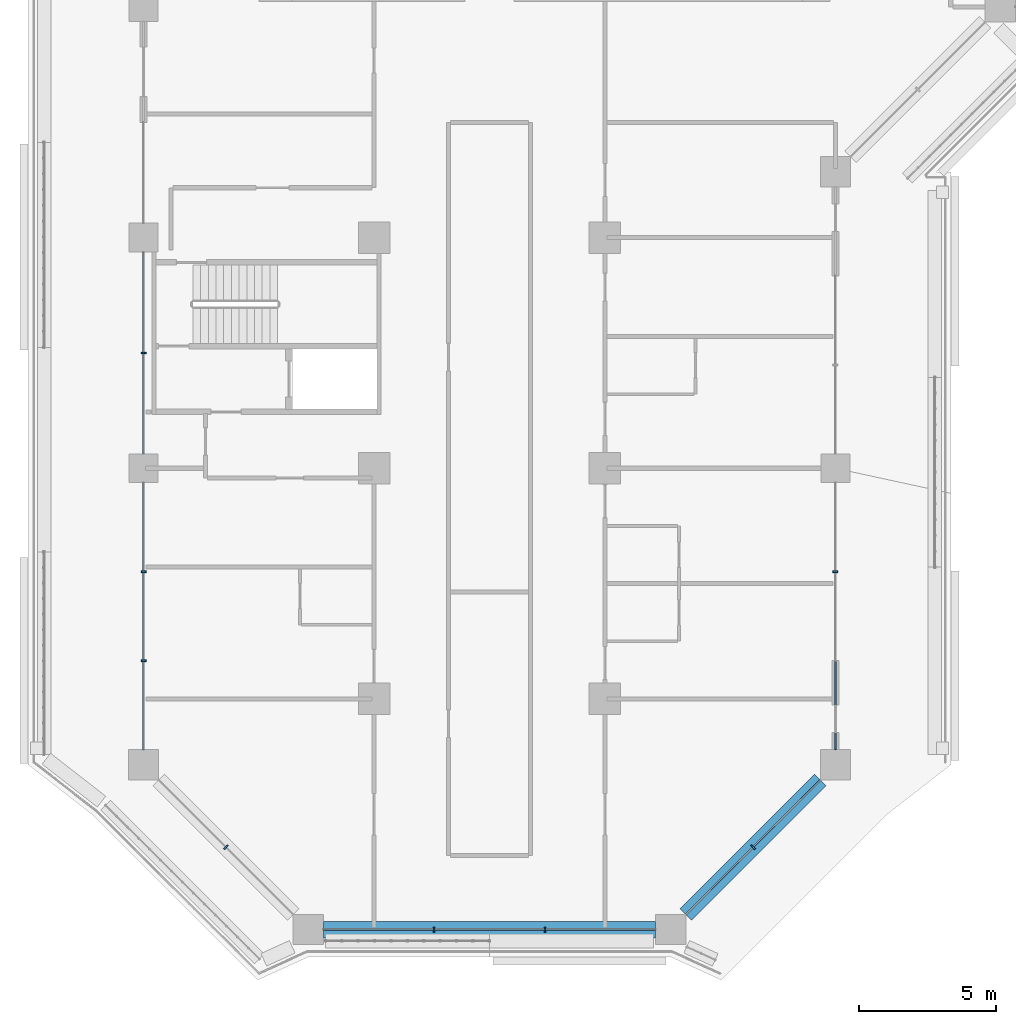
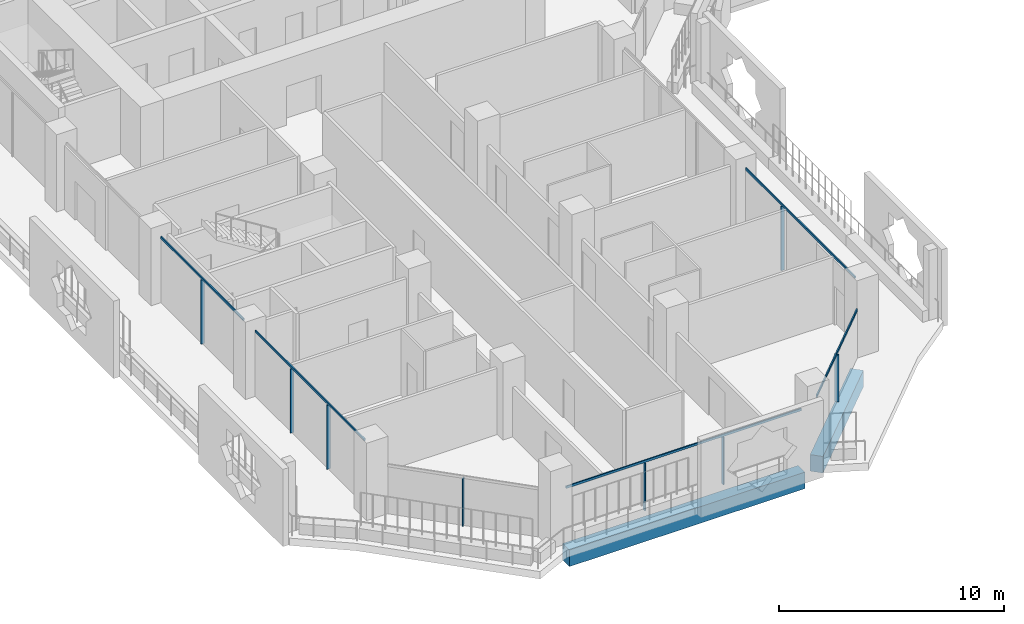
# One storey, part 2 of 27: 13 members, 2 beams, 5 elements without a shape of their own.
"""IFC4 building model written with IfcOpenShell, lengths in metres."""

from ifc_helpers import new_model, si_unit, direction, frame, origin, origin_2d, place, context, subcontext, project, spatial, rectangle, extrude, material, layer, layer_set, material_profile, profile_set, type_object, element, aggregate, save


model = new_model("IFC4")

# Units and contexts
model_context = context("Model", 3, precision=1e-05, world=origin(), true_north=direction((0.0, 1.0)))
body_context = subcontext(model_context, "Body", "Model", "MODEL_VIEW")
ifc_project = project(units=[si_unit("LENGTHUNIT", "METRE"), si_unit("AREAUNIT", "SQUARE_METRE"), si_unit("VOLUMEUNIT", "CUBIC_METRE"), si_unit("PLANEANGLEUNIT", "RADIAN"), si_unit("MASSUNIT", "GRAM", prefix="KILO")], contexts=[model_context])

# Site, building, storey
site_placement = place(None, origin())
site = spatial("IfcSite", under=ifc_project, at=site_placement, CompositionType="ELEMENT")
building_placement = place(site_placement, origin())
building = spatial("IfcBuilding", under=site, at=building_placement, Name="Kawkab Arch Medical Tower", CompositionType="ELEMENT")
storey_placement = place(building_placement, frame((0.0, 0.0, 115.60009765625)))
storey = spatial("IfcBuildingStorey", under=building, at=storey_placement, Name="L26", CompositionType="ELEMENT", Elevation=115.60009765625)

# Curtain wall, members
ifc_material_1 = material(Name="Bronze anodised aluminium curtain wall frame", Category="aluminium")
ifc_layer_1 = layer(ifc_material_1, 0.159912109375)
ifc_layer_set_1 = layer_set([ifc_layer_1], Name="Bronze anodised aluminium curtain wall frame")
curtain_wall_type_1 = type_object("IfcCurtainWallType", Name="CW1 ward curtain wall", PredefinedType="NOTDEFINED", material=ifc_layer_set_1)
placement = place(storey_placement, origin())
curtain_wall_1 = element("IfcCurtainWall", 1, at=placement, inside=storey, type_object=curtain_wall_type_1, Name="CW1 Ward curtain wall R01", PredefinedType="NOTDEFINED")
ifc_material_2 = material(Name="Bronze anodised aluminium curtain wall frame", Category="aluminium")
ifc_material_profile_1 = material_profile(ifc_material_2, rectangle(XDim=0.179931640625, YDim=0.06005859375, at=origin_2d()), Name="AL 60x180")
ifc_profile_set_1 = profile_set([ifc_material_profile_1], Name="Bronze anodised aluminium curtain wall frame")
member_type_1 = type_object("IfcMemberType", Name="CW1 mullion 60 x 180", PredefinedType="MULLION", material=ifc_profile_set_1)
member_1_placement = place(storey_placement, frame((0.0, -37.800048828125, 0.0), z_axis=(0.0, 0.0, 1.0), x_axis=(1.0, 0.0, 0.0)))
member_1 = element("IfcMember", 2, at=member_1_placement, type_object=member_type_1, Name="CW1 mullion 5.1", PredefinedType="MULLION", context=body_context, shape_type="SweptSolid", body=[
    extrude(rectangle(XDim=0.179931640625, YDim=0.06005859375, at=origin_2d()), origin(), (0.0, 0.0, 1.0), 3.47998046875),
])
member_2_placement = place(storey_placement, frame((0.0, -45.7666015625, 0.0), z_axis=(0.0, 0.0, 1.0), x_axis=(1.0, 0.0, 0.0)))
member_2 = element("IfcMember", 3, at=member_2_placement, type_object=member_type_1, Name="CW1 mullion 6.1", PredefinedType="MULLION", context=body_context, shape_type="SweptSolid", body=[
    extrude(rectangle(XDim=0.179931640625, YDim=0.06005859375, at=origin_2d()), origin(), (0.0, 0.0, 1.0), 3.47998046875),
])
member_3_placement = place(storey_placement, frame((0.0, -49.00830078125, 0.0), z_axis=(0.0, 0.0, 1.0), x_axis=(1.0, 0.0, 0.0)))
member_3 = element("IfcMember", 4, at=member_3_placement, type_object=member_type_1, Name="CW1 mullion 6.2", PredefinedType="MULLION", context=body_context, shape_type="SweptSolid", body=[
    extrude(rectangle(XDim=0.179931640625, YDim=0.06005859375, at=origin_2d()), origin(), (0.0, 0.0, 1.0), 3.47998046875),
])

curtain_wall_2 = element("IfcCurtainWall", 5, at=placement, inside=storey, type_object=curtain_wall_type_1, Name="CW1 Ward curtain wall R03", PredefinedType="NOTDEFINED")
member_4_placement = place(storey_placement, frame((10.583251953125, -58.800048828125, 0.0), z_axis=(0.0, 0.0, 1.0), x_axis=(0.0, 1.0, 0.0)))
member_4 = element("IfcMember", 6, at=member_4_placement, type_object=member_type_1, Name="CW1 mullion 1.1", PredefinedType="MULLION", context=body_context, shape_type="SweptSolid", body=[
    extrude(rectangle(XDim=0.179931640625, YDim=0.06005859375, at=origin_2d()), origin(), (0.0, 0.0, 1.0), 2.579833984375),
])
member_5_placement = place(storey_placement, frame((14.61669921875, -58.800048828125, 0.0), z_axis=(0.0, 0.0, 1.0), x_axis=(0.0, 1.0, 0.0)))
member_5 = element("IfcMember", 7, at=member_5_placement, type_object=member_type_1, Name="CW1 mullion 1.2", PredefinedType="MULLION", context=body_context, shape_type="SweptSolid", body=[
    extrude(rectangle(XDim=0.179931640625, YDim=0.06005859375, at=origin_2d()), origin(), (0.0, 0.0, 1.0), 2.579833984375),
])

# Curtain wall, member
curtain_wall_3 = element("IfcCurtainWall", 8, at=placement, inside=storey, type_object=curtain_wall_type_1, Name="CW1 Ward curtain wall R05", PredefinedType="NOTDEFINED")
member_6_placement = place(storey_placement, frame((25.199951171875, -45.7666015625, 0.0), z_axis=(0.0, 0.0, 1.0), x_axis=(-1.0, 0.0, 0.0)))
member_6 = element("IfcMember", 9, at=member_6_placement, type_object=member_type_1, Name="CW1 mullion 1.2", PredefinedType="MULLION", context=body_context, shape_type="SweptSolid", body=[
    extrude(rectangle(XDim=0.179931640625, YDim=0.06005859375, at=origin_2d()), origin(), (0.0, 0.0, 1.0), 3.47998046875),
])

# Member
ifc_material_3 = material(Name="Bronze anodised aluminium curtain wall frame", Category="aluminium")
ifc_material_profile_2 = material_profile(ifc_material_3, rectangle(XDim=0.06005859375, YDim=0.1201171875, at=origin_2d()), Name="AL 60x120")
ifc_profile_set_2 = profile_set([ifc_material_profile_2], Name="Bronze anodised aluminium curtain wall frame")
member_type_2 = type_object("IfcMemberType", Name="CW1 transom 120 x 60", PredefinedType="USERDEFINED", material=ifc_profile_set_2)
member_7_placement = place(storey_placement, frame((0.0, -34.125, 3.539794921875), z_axis=(0.0, -1.0, 0.0), x_axis=(1.0, 0.0, 0.0)))
member_7 = element("IfcMember", 10, at=member_7_placement, type_object=member_type_2, Name="CW1 transom 5", ObjectType="TRANSOM", PredefinedType="USERDEFINED", context=body_context, shape_type="SweptSolid", body=[
    extrude(rectangle(XDim=0.06005859375, YDim=0.1201171875, at=origin_2d()), origin(), (0.0, 0.0, 1.0), 7.35009765625),
])

member_8_placement = place(storey_placement, frame((0.0, -42.52490234375, 3.539794921875), z_axis=(0.0, -1.0, 0.0), x_axis=(1.0, 0.0, 0.0)))
member_8 = element("IfcMember", 11, at=member_8_placement, type_object=member_type_2, Name="CW1 transom 6", ObjectType="TRANSOM", PredefinedType="USERDEFINED", context=body_context, shape_type="SweptSolid", body=[
    extrude(rectangle(XDim=0.06005859375, YDim=0.1201171875, at=origin_2d()), origin(), (0.0, 0.0, 1.0), 9.72509765625),
])

aggregate(curtain_wall_1, [member_7, member_1, member_8, member_2, member_3])

member_9_placement = place(storey_placement, frame((6.550048828125, -58.800048828125, 2.639892578125), z_axis=(1.0, 0.0, 0.0), x_axis=(0.0, 1.0, 0.0)))
member_9 = element("IfcMember", 12, at=member_9_placement, type_object=member_type_2, Name="CW1 transom 1", ObjectType="TRANSOM", PredefinedType="USERDEFINED", context=body_context, shape_type="SweptSolid", body=[
    extrude(rectangle(XDim=0.06005859375, YDim=0.1201171875, at=origin_2d()), origin(), (0.0, 0.0, 1.0), 12.099853515625),
])

aggregate(curtain_wall_2, [member_9, member_4, member_5])

member_10_placement = place(storey_placement, frame((25.199951171875, -52.25, 3.539794921875), z_axis=(0.0, 1.0, 0.0), x_axis=(-1.0, 0.0, 0.0)))
member_10 = element("IfcMember", 13, at=member_10_placement, type_object=member_type_2, Name="CW1 transom 1", ObjectType="TRANSOM", PredefinedType="USERDEFINED", context=body_context, shape_type="SweptSolid", body=[
    extrude(rectangle(XDim=0.06005859375, YDim=0.1201171875, at=origin_2d()), origin(), (0.0, 0.0, 1.0), 9.72509765625),
])

aggregate(curtain_wall_3, [member_10, member_6])

# Curtain wall, member
ifc_material_4 = material(Name="Bronze anodised aluminium curtain wall frame", Category="aluminium")
ifc_layer_2 = layer(ifc_material_4, 0.159912109375)
ifc_layer_set_2 = layer_set([ifc_layer_2], Name="Bronze anodised aluminium curtain wall frame")
curtain_wall_type_2 = type_object("IfcCurtainWallType", Name="CW2 chamfer curtain wall", PredefinedType="NOTDEFINED", material=ifc_layer_set_2)
curtain_wall_4 = element("IfcCurtainWall", 14, at=placement, inside=storey, type_object=curtain_wall_type_2, Name="CW2 Chamfer curtain wall R02", PredefinedType="NOTDEFINED")
ifc_material_5 = material(Name="Bronze anodised aluminium curtain wall frame", Category="aluminium")
ifc_material_profile_3 = material_profile(ifc_material_5, rectangle(XDim=0.199951171875, YDim=0.06005859375, at=origin_2d()), Name="AL 60x200")
ifc_profile_set_3 = profile_set([ifc_material_profile_3], Name="Bronze anodised aluminium curtain wall frame")
member_type_3 = type_object("IfcMemberType", Name="CW2 mullion 60 x 200", PredefinedType="MULLION", material=ifc_profile_set_3)
member_11_placement = place(storey_placement, frame((3.0, -55.800048828125, 0.0), z_axis=(0.0, 0.0, 1.0), x_axis=(0.707106781187, 0.707106781187, 0.0)))
member_11 = element("IfcMember", 15, at=member_11_placement, type_object=member_type_3, Name="CW2 mullion 1.1", PredefinedType="MULLION", context=body_context, shape_type="SweptSolid", body=[
    extrude(rectangle(XDim=0.199951171875, YDim=0.06005859375, at=origin_2d()), origin(), (0.0, 0.0, 1.0), 2.559814453125),
])
aggregate(curtain_wall_4, [member_11])

# Curtain wall, members
curtain_wall_5 = element("IfcCurtainWall", 16, at=placement, inside=storey, type_object=curtain_wall_type_2, Name="CW2 Chamfer curtain wall R04", PredefinedType="NOTDEFINED")
member_12_placement = place(storey_placement, frame((22.199951171875, -55.800048828125, 0.0), z_axis=(0.0, 0.0, 1.0), x_axis=(-0.707106781187, 0.707106781187, 0.0)))
member_12 = element("IfcMember", 17, at=member_12_placement, type_object=member_type_3, Name="CW2 mullion 1.1", PredefinedType="MULLION", context=body_context, shape_type="SweptSolid", body=[
    extrude(rectangle(XDim=0.199951171875, YDim=0.06005859375, at=origin_2d()), origin(), (0.0, 0.0, 1.0), 2.559814453125),
])
ifc_material_6 = material(Name="Bronze anodised aluminium curtain wall frame", Category="aluminium")
ifc_material_profile_4 = material_profile(ifc_material_6, rectangle(XDim=0.06005859375, YDim=0.139892578125, at=origin_2d()), Name="AL 60x140")
ifc_profile_set_4 = profile_set([ifc_material_profile_4], Name="Bronze anodised aluminium curtain wall frame")
member_type_4 = type_object("IfcMemberType", Name="CW2 transom 140 x 60", PredefinedType="USERDEFINED", material=ifc_profile_set_4)
member_13_placement = place(storey_placement, frame((19.75, -58.25, 2.6298828125), z_axis=(0.707106781187, 0.707106781187, 0.0), x_axis=(-0.707106781187, 0.707106781187, 0.0)))
member_13 = element("IfcMember", 18, at=member_13_placement, type_object=member_type_4, Name="CW2 transom 1", ObjectType="TRANSOM", PredefinedType="USERDEFINED", context=body_context, shape_type="SweptSolid", body=[
    extrude(rectangle(XDim=0.06005859375, YDim=0.139892578125, at=origin_2d()), origin(), (0.0, 0.0, 1.0), 6.929443359375),
])
aggregate(curtain_wall_5, [member_13, member_12])

# Beams
ifc_material_7 = material(Name="Concrete C55/67", Category="concrete")
ifc_material_profile_5 = material_profile(ifc_material_7, rectangle(XDim=0.60009765625, YDim=0.89990234375, at=origin_2d()), Name="RC 600x900")
ifc_profile_set_5 = profile_set([ifc_material_profile_5], Name="Concrete C55/67")
beam_type = type_object("IfcBeamType", Name="RC 600x900 beam C55/67", PredefinedType="BEAM", material=ifc_profile_set_5)
beam_1_placement = place(storey_placement, frame((24.64990234375, -53.35009765625, -1.050048828125), z_axis=(-0.707106781187, -0.707106781187, 0.0), x_axis=(0.707106781187, -0.707106781187, 0.0)))
element("IfcBeam", 19, at=beam_1_placement, inside=storey, type_object=beam_type, Name="Overhang edge beam L26-07", PredefinedType="BEAM", context=body_context, shape_type="SweptSolid", body=[
    extrude(rectangle(XDim=0.60009765625, YDim=0.89990234375, at=origin_2d()), origin(), (0.0, 0.0, 1.0), 6.929443359375),
])
beam_2_placement = place(storey_placement, frame((18.64990234375, -58.800048828125, -1.050048828125), z_axis=(-1.0, 0.0, 0.0), x_axis=(0.0, -1.0, 0.0)))
element("IfcBeam", 20, at=beam_2_placement, inside=storey, type_object=beam_type, Name="Overhang edge beam L26-08", PredefinedType="BEAM", context=body_context, shape_type="SweptSolid", body=[
    extrude(rectangle(XDim=0.60009765625, YDim=0.89990234375, at=origin_2d()), origin(), (0.0, 0.0, 1.0), 12.099853515625),
])

save(model, "model.ifc")
